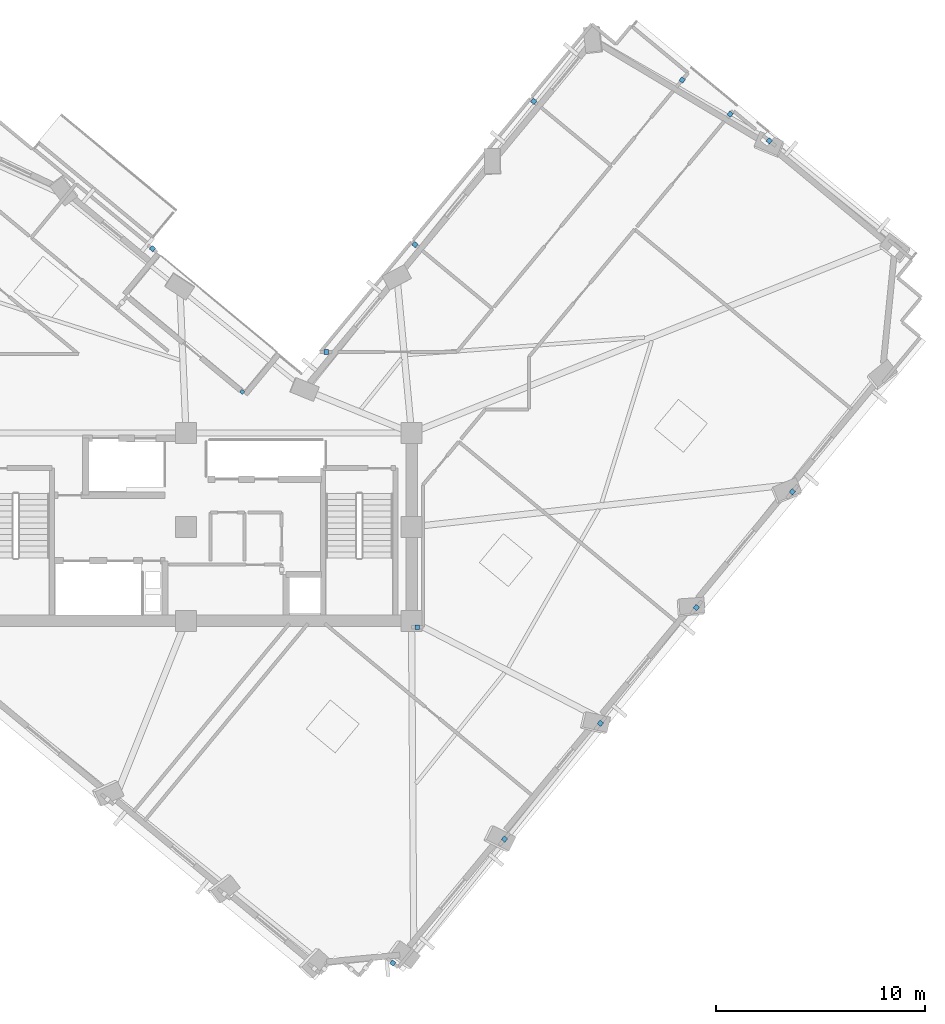
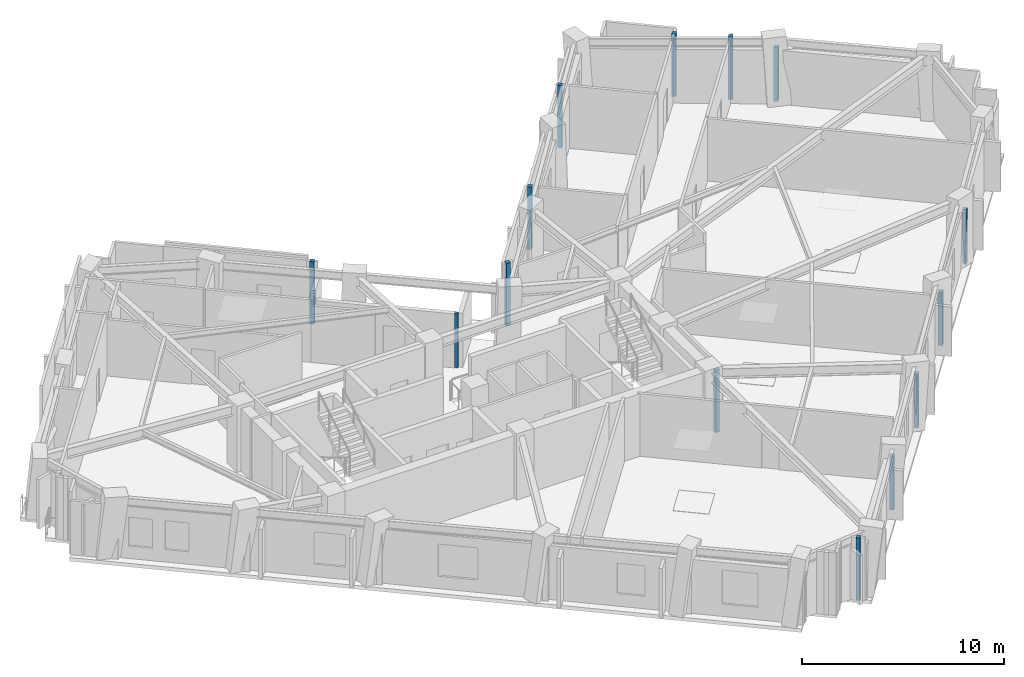
# One storey, part 3 of 10: 14 plates.
"""IFC4 building model written with IfcOpenShell, lengths in metres."""

from ifc_helpers import new_model, si_unit, direction, frame, origin, origin_2d, place, context, subcontext, project, spatial, rectangle, extrude, material, layer, layer_set, type_object, element, save


model = new_model("IFC4")

# Units and contexts
model_context = context("Model", 3, precision=1e-05, world=origin(), true_north=direction((0.0, 1.0)))
body_context = subcontext(model_context, "Body", "Model", "MODEL_VIEW")
ifc_project = project(units=[si_unit("LENGTHUNIT", "METRE"), si_unit("AREAUNIT", "SQUARE_METRE"), si_unit("VOLUMEUNIT", "CUBIC_METRE"), si_unit("PLANEANGLEUNIT", "RADIAN"), si_unit("MASSUNIT", "GRAM", prefix="KILO")], contexts=[model_context])

# Site, building, storey
site_placement = place(None, origin())
site = spatial("IfcSite", under=ifc_project, at=site_placement, CompositionType="ELEMENT")
building_placement = place(site_placement, origin())
building = spatial("IfcBuilding", under=site, at=building_placement, Name="Gaonmaruhae Medical Tower", CompositionType="ELEMENT")
storey_placement = place(building_placement, frame((0.0, 0.0, 239.199951171875)))
storey = spatial("IfcBuildingStorey", under=building, at=storey_placement, Name="L57", CompositionType="ELEMENT", Elevation=239.199951171875)

# Plates
ifc_material = material(Name="Anodised aluminium 6063-T6", Category="aluminium")
ifc_layer = layer(ifc_material, 0.011962890625)
ifc_layer_set = layer_set([ifc_layer], Name="Anodised aluminium 6063-T6")
plate_type = type_object("IfcPlateType", Name="PP-01 Interior Partition Corner Stiffener Plate", PredefinedType="SHEET", material=ifc_layer_set)
plate_1_placement = place(storey_placement, frame((27.49072265625, 18.771484375, 0.0), z_axis=(0.0, 0.0, 1.0), x_axis=(0.769956692089, -0.638096146601, 0.0)))
element("IfcPlate", 1, at=plate_1_placement, inside=storey, type_object=plate_type, Name="L57 Partition End Jamb Post Plate PLT-L57-ENDP-TERB-1", PredefinedType="SHEET", context=body_context, shape_type="SweptSolid", body=[
    extrude(rectangle(XDim=0.179931640625, YDim=0.179931640625, at=origin_2d()), origin(), (0.0, 0.0, 1.0), 3.264892578125),
])
plate_2_placement = place(storey_placement, frame((40.052001953125, -2.64501953125, 0.0), z_axis=(0.0, 0.0, 1.0), x_axis=(-0.638069269654, -0.769978965377, 0.0)))
element("IfcPlate", 2, at=plate_2_placement, inside=storey, type_object=plate_type, Name="L57 Partition Corner Stiffener Plate PLT-L57-JGP-PW014", PredefinedType="SHEET", context=body_context, shape_type="SweptSolid", body=[
    extrude(rectangle(XDim=0.219970703125, YDim=0.219970703125, at=origin_2d()), origin(), (0.0, 0.0, 1.0), 3.264892578125),
])
plate_3_placement = place(storey_placement, frame((34.699462890625, -8.580078125, 0.0), z_axis=(0.0, 0.0, 1.0), x_axis=(-0.769321509094, 0.638861812637, 0.0)))
element("IfcPlate", 3, at=plate_3_placement, inside=storey, type_object=plate_type, Name="L57 Partition Corner Stiffener Plate PLT-L57-JGP-PW016", PredefinedType="SHEET", context=body_context, shape_type="SweptSolid", body=[
    extrude(rectangle(XDim=0.219970703125, YDim=0.219970703125, at=origin_2d()), origin(), (0.0, 0.0, 1.0), 3.780029296875),
])
plate_4_placement = place(storey_placement, frame((44.6455078125, 2.8984375, 0.0), z_axis=(0.0, 0.0, 1.0), x_axis=(-0.638539503959, -0.769589047404, 0.0)))
element("IfcPlate", 4, at=plate_4_placement, inside=storey, type_object=plate_type, Name="L57 Partition Corner Stiffener Plate PLT-L57-JGP-PW020", PredefinedType="SHEET", context=body_context, shape_type="SweptSolid", body=[
    extrude(rectangle(XDim=0.219970703125, YDim=0.219970703125, at=origin_2d()), origin(), (0.0, 0.0, 1.0), 3.264892578125),
])
plate_5_placement = place(storey_placement, frame((35.875, 7.5, 0.0), z_axis=(0.0, 0.0, 1.0), x_axis=(1.0, 0.0, 0.0)))
element("IfcPlate", 5, at=plate_5_placement, inside=storey, type_object=plate_type, Name="L57 Partition Corner Stiffener Plate PLT-L57-JGP-PW021", PredefinedType="SHEET", context=body_context, shape_type="SweptSolid", body=[
    extrude(rectangle(XDim=0.219970703125, YDim=0.219970703125, at=origin_2d()), origin(), (0.0, 0.0, 1.0), 3.780029296875),
])
for number, where, z_axis, x_axis, name in (
    (6, (53.83349609375, 13.985595703125, 0.0), (0.0, 0.0, 1.0), (-0.638311134188, -0.769778472011, 0.0), "L57 Partition Corner Stiffener Plate PLT-L57-JGP-PW026"),
    (7, (49.239501953125, 8.4423828125, 0.0), (0.0, 0.0, 1.0), (-0.638566367295, -0.769566757702, 0.0), "L57 Partition Corner Stiffener Plate PLT-L57-JGP-PW027"),
):
    element("IfcPlate", number, at=place(storey_placement, frame(where, z_axis=z_axis, x_axis=x_axis)), inside=storey, type_object=plate_type, Name=name, PredefinedType="SHEET", context=body_context, shape_type="SweptSolid", body=[
        extrude(rectangle(XDim=0.219970703125, YDim=0.219970703125, at=origin_2d()), origin(), (0.0, 0.0, 1.0), 3.264892578125),
    ])
plate_6_placement = place(storey_placement, frame((50.857421875, 32.0673828125, 0.0), z_axis=(0.0, 0.0, 1.0), x_axis=(0.638096146601, 0.769956692089, 0.0)))
element("IfcPlate", 8, at=plate_6_placement, inside=storey, type_object=plate_type, Name="L57 Partition Corner Stiffener Plate PLT-L57-JGP-PW032", PredefinedType="SHEET", context=body_context, shape_type="SweptSolid", body=[
    extrude(rectangle(XDim=0.219970703125, YDim=0.219970703125, at=origin_2d()), origin(), (0.0, 0.0, 1.0), 3.780029296875),
])
plate_7_placement = place(storey_placement, frame((52.7294921875, 30.7919921875, 0.0), z_axis=(0.0, 0.0, 1.0), x_axis=(0.76957790267, -0.638552935724, 0.0)))
element("IfcPlate", 9, at=plate_7_placement, inside=storey, type_object=plate_type, Name="L57 Partition Corner Stiffener Plate PLT-L57-JGP-PW034", PredefinedType="SHEET", context=body_context, shape_type="SweptSolid", body=[
    extrude(rectangle(XDim=0.219970703125, YDim=0.219970703125, at=origin_2d()), origin(), (0.0, 0.0, 1.0), 3.264892578125),
])
for number, where, z_axis, x_axis, name in (
    (10, (35.7666015625, 25.820068359375, 0.0), (0.0, 0.0, 1.0), (0.76953332139, -0.638606660841, 0.0), "L57 Partition Corner Stiffener Plate PLT-L57-JGP-PW055"),
    (11, (31.507080078125, 20.679931640625, 0.0), (0.0, 0.0, 1.0), (-1.0, 0.0, 0.0), "L57 Partition Corner Stiffener Plate PLT-L57-JGP-PW059"),
    (12, (41.451416015625, 32.678955078125, 0.0), (0.0, 0.0, 1.0), (0.76953332139, -0.638606660841, 0.0), "L57 Partition Corner Stiffener Plate PLT-L57-JGP-PW063"),
    (13, (48.5615234375, 33.701416015625, 0.0), (0.0, 0.0, 1.0), (-0.638055830888, -0.76999010167, 0.0), "L57 Partition Corner Stiffener Plate PLT-L57-JGP-PW067"),
    (14, (23.196044921875, 25.62939453125, 0.0), (0.0, 0.0, 1.0), (0.770001237728, -0.638042391929, 0.0), "L57 Partition Corner Stiffener Plate PLT-L57-JGP-PW073"),
):
    element("IfcPlate", number, at=place(storey_placement, frame(where, z_axis=z_axis, x_axis=x_axis)), inside=storey, type_object=plate_type, Name=name, PredefinedType="SHEET", context=body_context, shape_type="SweptSolid", body=[
        extrude(rectangle(XDim=0.219970703125, YDim=0.219970703125, at=origin_2d()), origin(), (0.0, 0.0, 1.0), 3.780029296875),
    ])

save(model, "model.ifc")
